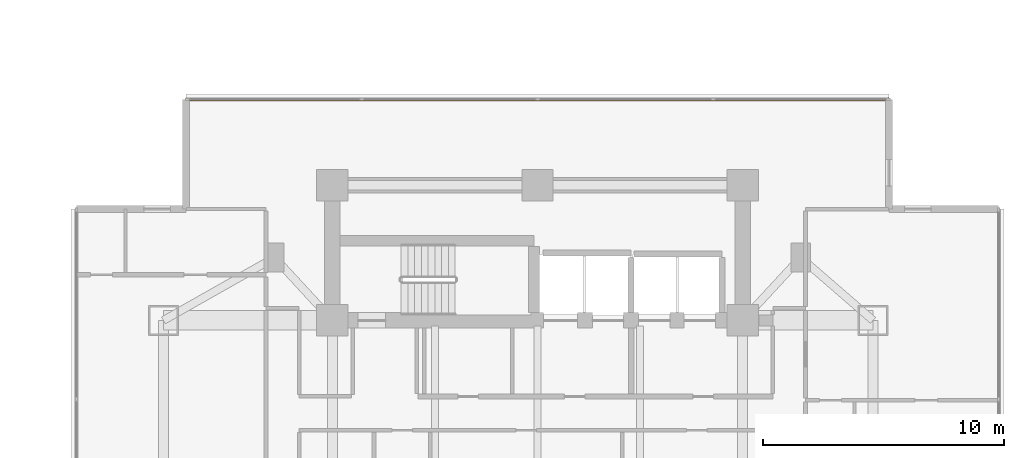
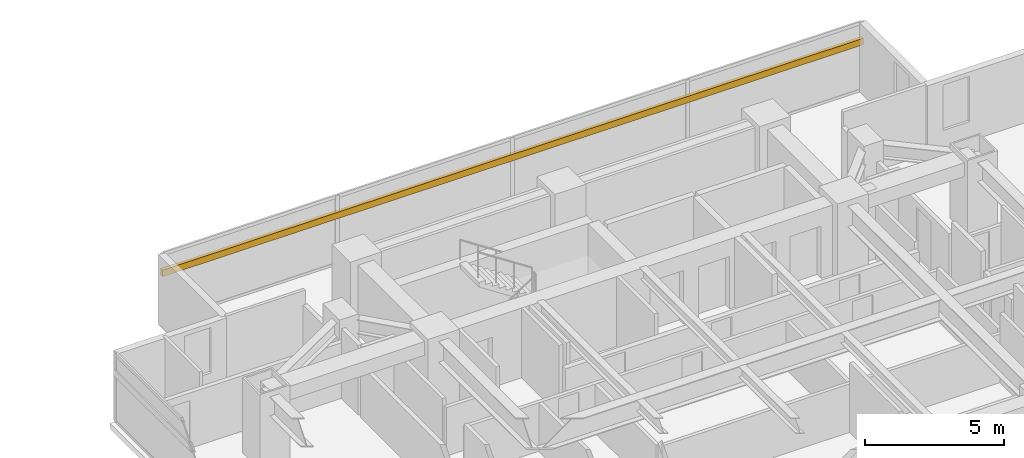
# One storey, part 27 of 27: 1 shading device.
"""IFC4 building model written with IfcOpenShell, lengths in metres."""

from ifc_helpers import new_model, si_unit, direction, frame, origin, origin_2d, place, context, subcontext, project, spatial, rectangle, extrude, material, material_profile, profile_set, type_object, element, save


model = new_model("IFC4")

# Units and contexts
model_context = context("Model", 3, precision=1e-05, world=origin(), true_north=direction((0.0, 1.0)))
body_context = subcontext(model_context, "Body", "Model", "MODEL_VIEW")
ifc_project = project(units=[si_unit("LENGTHUNIT", "METRE"), si_unit("AREAUNIT", "SQUARE_METRE"), si_unit("VOLUMEUNIT", "CUBIC_METRE"), si_unit("PLANEANGLEUNIT", "RADIAN"), si_unit("MASSUNIT", "GRAM", prefix="KILO")], contexts=[model_context])

# Site, building, storey
site_placement = place(None, origin())
site = spatial("IfcSite", under=ifc_project, at=site_placement, CompositionType="ELEMENT")
building_placement = place(site_placement, origin())
building = spatial("IfcBuilding", under=site, at=building_placement, Name="Mirazonda Arch Towers", CompositionType="ELEMENT")
storey_placement = place(building_placement, frame((0.0, 0.0, 75.199951171875)))
storey = spatial("IfcBuildingStorey", under=building, at=storey_placement, Name="L21", CompositionType="ELEMENT", Elevation=75.199951171875)

# Shading device
ifc_material = material(Name="Kiln-Fired Architectural Terracotta", Category="masonry")
ifc_material_profile = material_profile(ifc_material, rectangle(XDim=0.139892578125, YDim=0.280029296875, at=origin_2d()), Name="TERRA-BAG-140x280")
ifc_profile_set = profile_set([ifc_material_profile], Name="Kiln-Fired Architectural Terracotta")
shading_device_type = type_object("IfcShadingDeviceType", Name="BAGUETTE-3", PredefinedType="USERDEFINED", material=ifc_profile_set)
shading_device_placement = place(storey_placement, frame((61.93994140625, 44.359130859375, 2.18896484375), z_axis=(1.0, 0.0, 0.0), x_axis=(0.0, 1.0, 0.0)))
element("IfcShadingDevice", 1, at=shading_device_placement, inside=storey, type_object=shading_device_type, Name="L21 Glazed Terracotta Sun-Screen Baguette CW-L21-T2-N", ObjectType="BAGUETTE", PredefinedType="USERDEFINED", context=body_context, shape_type="SweptSolid", body=[
    extrude(rectangle(XDim=0.139892578125, YDim=0.280029296875, at=origin_2d()), origin(), (0.0, 0.0, 1.0), 29.1201171875),
])

save(model, "model.ifc")
